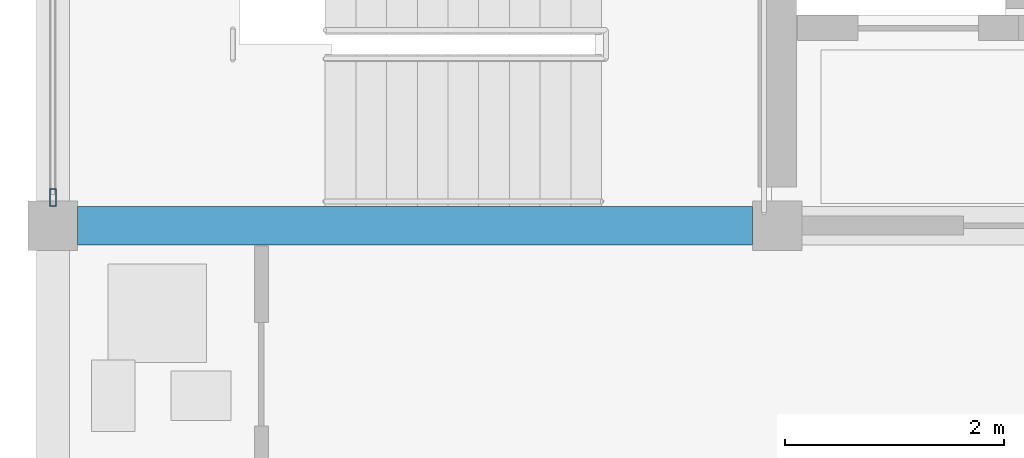
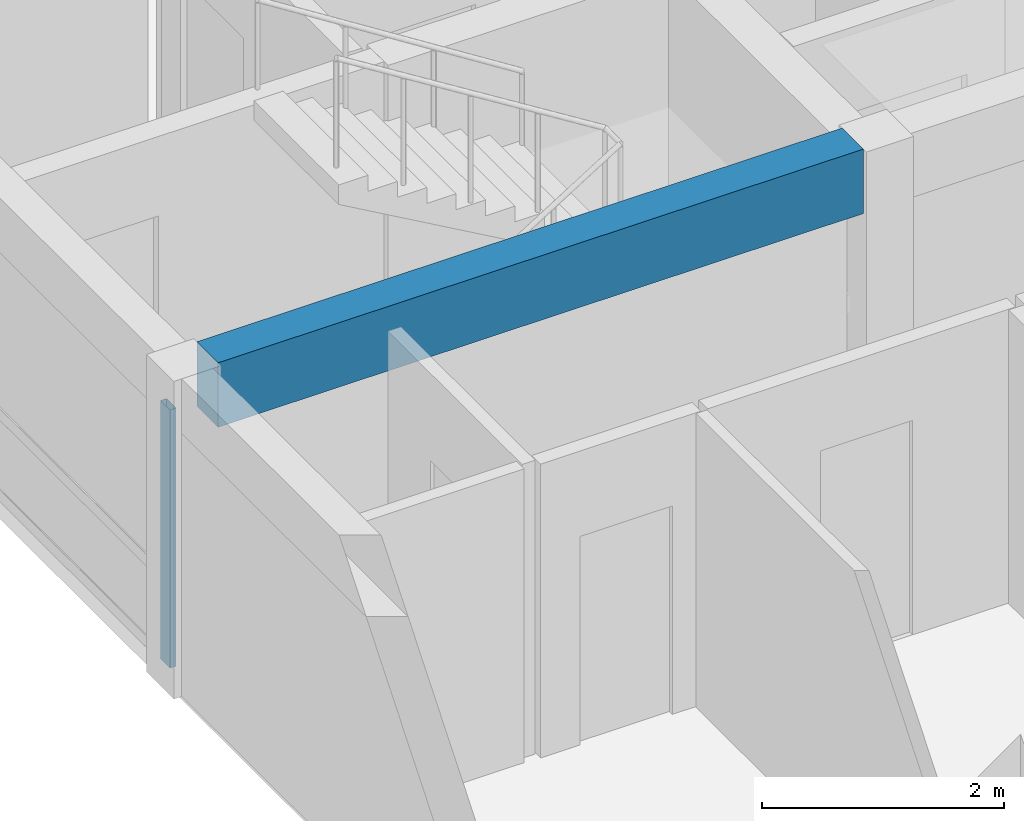
# One storey, part 3 of 51: 1 beam, 1 member, 1 element without a shape of its own.
"""IFC4 building model written with IfcOpenShell, lengths in metres."""

from ifc_helpers import new_model, si_unit, direction, frame, origin, origin_2d, place, context, subcontext, project, spatial, rectangle, hollow_rectangle, extrude, material, material_profile, profile_set, type_object, element, aggregate, save


model = new_model("IFC4")

# Units and contexts
model_context = context("Model", 3, precision=1e-05, world=origin(), true_north=direction((0.0, 1.0)))
body_context = subcontext(model_context, "Body", "Model", "MODEL_VIEW")
ifc_project = project(units=[si_unit("LENGTHUNIT", "METRE"), si_unit("AREAUNIT", "SQUARE_METRE"), si_unit("VOLUMEUNIT", "CUBIC_METRE"), si_unit("PLANEANGLEUNIT", "RADIAN"), si_unit("MASSUNIT", "GRAM", prefix="KILO")], contexts=[model_context])

# Site, building, storey
site_placement = place(None, origin())
site = spatial("IfcSite", under=ifc_project, at=site_placement, CompositionType="ELEMENT")
building_placement = place(site_placement, origin())
building = spatial("IfcBuilding", under=site, at=building_placement, Name="Kernevlak Ridge Housing Community", CompositionType="ELEMENT")
storey_placement = place(building_placement, frame((0.0, 0.0, 8.39990234375)))
storey = spatial("IfcBuildingStorey", under=building, at=storey_placement, Name="L02", CompositionType="ELEMENT", Elevation=8.39990234375)

# Beam
ifc_material_1 = material(Name="Concrete C35/45", Category="concrete")
ifc_material_profile_1 = material_profile(ifc_material_1, rectangle(XDim=0.35009765625, YDim=0.64990234375, at=origin_2d()), Name="RC 350x650")
ifc_profile_set_1 = profile_set([ifc_material_profile_1], Name="Concrete C35/45")
beam_type = type_object("IfcBeamType", Name="B-02", PredefinedType="BEAM", material=ifc_profile_set_1)
beam_placement = place(storey_placement, frame((15.824951171875, 22.199951171875, 2.875), z_axis=(1.0, 0.0, 0.0), x_axis=(0.0, 1.0, 0.0)))
element("IfcBeam", 1, at=beam_placement, inside=storey, type_object=beam_type, Name="Beam B-02 L02 1370", PredefinedType="BEAM", context=body_context, shape_type="SweptSolid", body=[
    extrude(rectangle(XDim=0.35009765625, YDim=0.64990234375, at=origin_2d()), origin(), (0.0, 0.0, 1.0), 6.150146484375),
])

# Curtain wall, member
ifc_material_2 = material(Name="Aluminium EN AW-6060 anodised and laminated glass", Category="aluminium")
curtain_wall_type = type_object("IfcCurtainWallType", Name="CW-10", PredefinedType="NOTDEFINED", material=ifc_material_2)
curtain_wall_placement = place(storey_placement, origin())
curtain_wall = element("IfcCurtainWall", 2, at=curtain_wall_placement, inside=storey, type_object=curtain_wall_type, Name="Curtain wall CW-10 CW-L02-145", PredefinedType="NOTDEFINED")
ifc_material_3 = material(Name="Aluminium EN AW-6060 anodised", Category="aluminium")
ifc_material_profile_2 = material_profile(ifc_material_3, hollow_rectangle(XDim=0.06005859375, YDim=0.159912109375, WallThickness=0.00390625, InnerFilletRadius=0.001953125, OuterFilletRadius=0.00390625, at=origin_2d()), Name="ALU 60x160x4")
ifc_profile_set_2 = profile_set([ifc_material_profile_2], Name="Aluminium EN AW-6060 anodised")
member_type = type_object("IfcMemberType", Name="MU-02", PredefinedType="MULLION", material=ifc_profile_set_2)
member_placement = place(storey_placement, frame((15.60009765625, 22.455078125, 0.0), z_axis=(0.0, 0.0, 1.0), x_axis=(-1.0, 0.0, 0.0)))
member = element("IfcMember", 3, at=member_placement, type_object=member_type, Name="CW-10 mullion 1", PredefinedType="MULLION", context=body_context, shape_type="SweptSolid", body=[
    extrude(hollow_rectangle(XDim=0.06005859375, YDim=0.159912109375, WallThickness=0.00390625, InnerFilletRadius=0.001953125, OuterFilletRadius=0.00390625, at=origin_2d()), origin(), (0.0, 0.0, 1.0), 2.60009765625),
])
aggregate(curtain_wall, [member])

save(model, "model.ifc")
